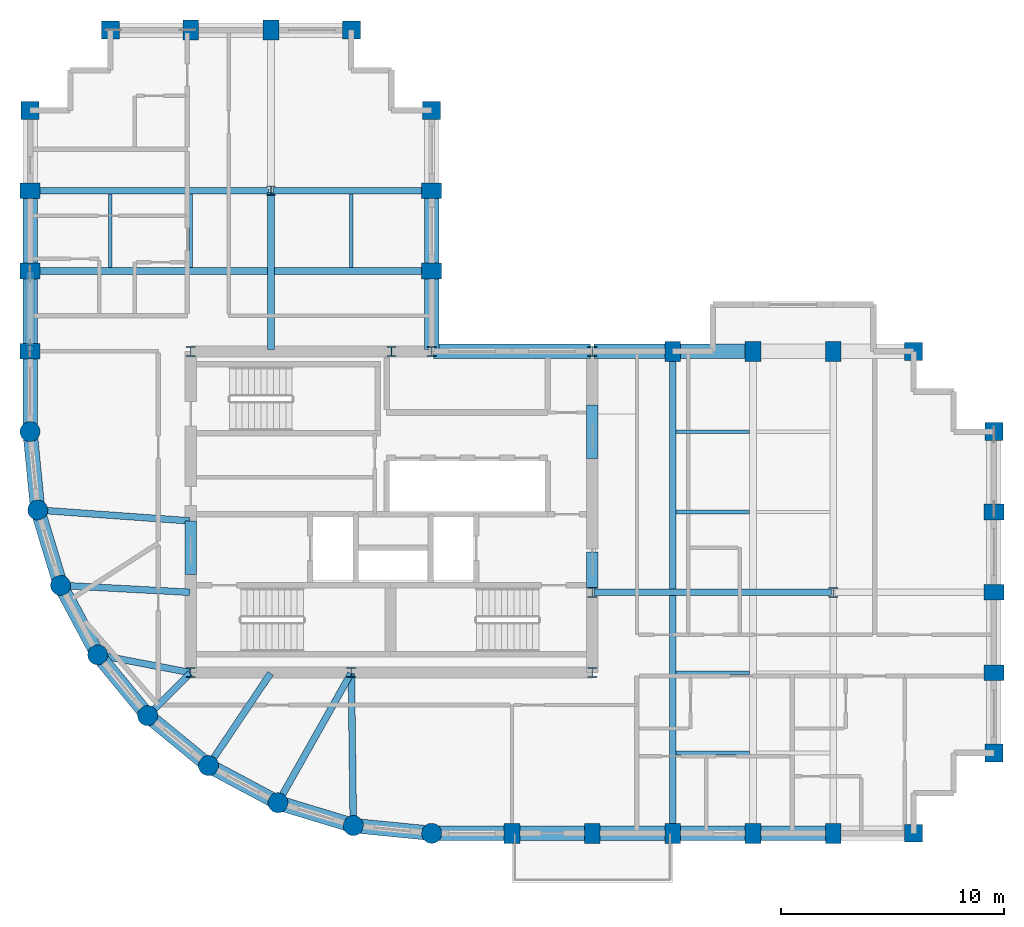
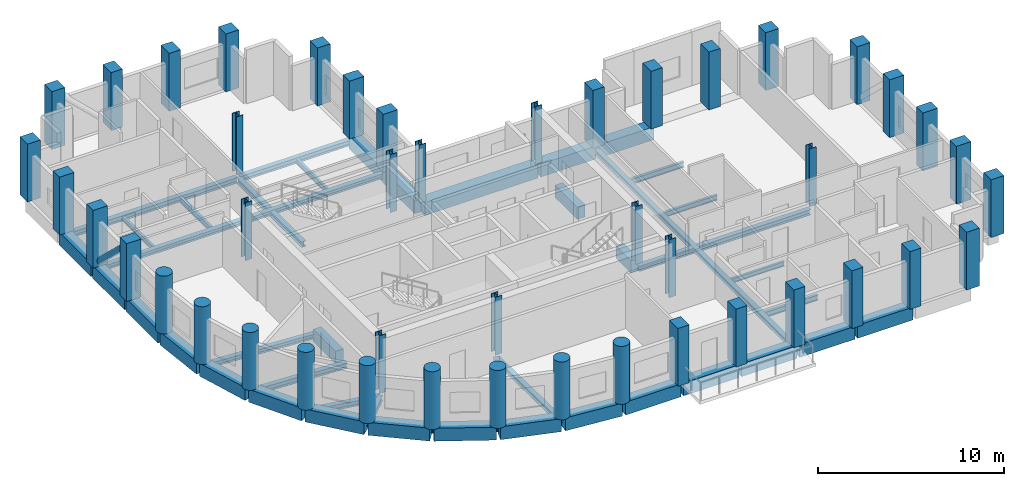
# One storey, part 1 of 8: 45 columns, 44 beams, 1 member.
"""IFC4 building model written with IfcOpenShell, lengths in metres."""

import ifcopenshell
import ifcopenshell.guid

model = None  # the IFC model being written
_history = None  # IfcOwnerHistory: only IFC2X3 demands one
_inside = {}  # id of a spatial element -> (the spatial element, [elements in it])
_under = {}  # id of a project, library or spatial element -> (it, [spatial elements below it])
_declared = {}  # id of a project -> (the project, [libraries it declares])
_typed = {}  # id of a type object -> (the type object, [elements of that type])
_made_of = {}  # id of a material, layer set ... -> (it, [elements and type objects made of it])


def new_model(schema):
    """Start an empty IFC model of exactly this schema.

    Asked for "IFC4X3", IfcOpenShell would pick the latest addendum, in which some entities
    have other attributes; the version numbers below select the first issue.
    IFC2X3 requires an IfcOwnerHistory on every rooted entity: one is made here for all.
    """
    global model, _history
    if schema == "IFC4X3":
        model = ifcopenshell.file(schema_version=(4, 3, 0, 0))
    else:
        model = ifcopenshell.file(schema=schema)
    _inside.clear()
    _under.clear()
    _declared.clear()
    _typed.clear()
    _made_of.clear()
    _history = None
    if model.schema == "IFC2X3":
        org = make("IfcOrganization", Name="unknown")
        user = make(
            "IfcPersonAndOrganization",
            ThePerson=make("IfcPerson", FamilyName="unknown"),
            TheOrganization=org,
        )
        app = make(
            "IfcApplication",
            ApplicationDeveloper=org,
            Version="unknown",
            ApplicationFullName="unknown",
            ApplicationIdentifier="unknown",
        )
        _history = make(
            "IfcOwnerHistory",
            OwningUser=user,
            OwningApplication=app,
            ChangeAction="ADDED",
            CreationDate=0,
        )
    return model


def make(cls, **values):
    """One entity of the class cls with the attributes given. An attribute that is None is left unset."""
    return model.create_entity(
        cls, **{name: value for name, value in values.items() if value is not None}
    )


def rooted(cls, **values):
    """An entity with a GlobalId (a new one), such as an element, a storey or a relation."""
    return make(cls, GlobalId=ifcopenshell.guid.new(), OwnerHistory=_history, **values)


def si_unit(unit_type, name, prefix=None):
    """IfcSIUnit, for example si_unit("LENGTHUNIT", "METRE", prefix="MILLI")."""
    return make("IfcSIUnit", UnitType=unit_type, Prefix=prefix, Name=name)


def assignment(units):
    """IfcUnitAssignment: the units of a project."""
    return None if units is None else make("IfcUnitAssignment", Units=units)


def point(xyz):
    """IfcCartesianPoint."""
    return None if xyz is None else make("IfcCartesianPoint", Coordinates=xyz)


def direction(xyz):
    """IfcDirection."""
    return None if xyz is None else make("IfcDirection", DirectionRatios=xyz)


def frame(location, z_axis=None, x_axis=None):
    """IfcAxis2Placement3D, a coordinate frame: its origin and axes. An axis left out is left unset."""
    return make(
        "IfcAxis2Placement3D",
        Location=point(location),
        Axis=direction(z_axis),
        RefDirection=direction(x_axis),
    )


def frame_2d(location, x_axis=None):
    """IfcAxis2Placement2D, a coordinate frame in the plane: its origin and x axis."""
    return make(
        "IfcAxis2Placement2D", Location=point(location), RefDirection=direction(x_axis)
    )


def origin():
    """The frame at (0, 0, 0) with its axes left unset."""
    return frame((0.0, 0.0, 0.0))


def origin_2d():
    """The frame at (0, 0) in the plane with its x axis left unset."""
    return frame_2d((0.0, 0.0))


def place(relative_to, where):
    """IfcLocalPlacement: puts the frame where relative to a parent placement (None: the world)."""
    return make(
        "IfcLocalPlacement", PlacementRelTo=relative_to, RelativePlacement=where
    )


def context(
    kind, dimensions, precision=None, world=None, true_north=None, identifier=None
):
    """IfcGeometricRepresentationContext, for example the 3D "Model" context."""
    return make(
        "IfcGeometricRepresentationContext",
        ContextIdentifier=identifier,
        ContextType=kind,
        CoordinateSpaceDimension=dimensions,
        Precision=precision,
        WorldCoordinateSystem=world,
        TrueNorth=true_north,
    )


def subcontext(parent, identifier, kind, view, scale=None):
    """IfcGeometricRepresentationSubContext, for example "Body" below "Model"."""
    return make(
        "IfcGeometricRepresentationSubContext",
        ContextIdentifier=identifier,
        ContextType=kind,
        ParentContext=parent,
        TargetScale=scale,
        TargetView=view,
    )


def project(units=None, contexts=None):
    """IfcProject with its units and contexts."""
    return rooted(
        "IfcProject",
        Name="project",
        RepresentationContexts=contexts,
        UnitsInContext=assignment(units),
    )


def spatial(cls, under=None, at=None, **own):
    """A site, building, storey or space (cls), placed at a placement, below another one or the project."""
    s = rooted(cls, ObjectPlacement=at, **own)
    if under is not None:
        _under.setdefault(under.id(), (under, []))[1].append(s)
    return s


def profile(cls, at=None, kind="AREA", **sizes):
    """A parametric profile (cls). Its sizes go by their IFC names, for example OverallWidth=200.0."""
    return make(cls, ProfileType=kind, Position=at, **sizes)


def rectangle(**sizes):
    """IfcRectangleProfileDef."""
    return profile("IfcRectangleProfileDef", **sizes)


def circle(**sizes):
    """IfcCircleProfileDef."""
    return profile("IfcCircleProfileDef", **sizes)


def hollow_circle(**sizes):
    """IfcCircleHollowProfileDef."""
    return profile("IfcCircleHollowProfileDef", **sizes)


def i_section(**sizes):
    """IfcIShapeProfileDef."""
    return profile("IfcIShapeProfileDef", **sizes)


def extrude(swept, where, along, depth):
    """IfcExtrudedAreaSolid: the profile swept, set in the frame where, extruded along a direction by depth."""
    return make(
        "IfcExtrudedAreaSolid",
        SweptArea=swept,
        Position=where,
        ExtrudedDirection=direction(along),
        Depth=depth,
    )


def shape(context_of_items, identifier, shape_type, items):
    """IfcShapeRepresentation: the items that make up one representation, for example the "Body"."""
    return make(
        "IfcShapeRepresentation",
        ContextOfItems=context_of_items,
        RepresentationIdentifier=identifier,
        RepresentationType=shape_type,
        Items=items,
    )


def material(Name=None, Category=None):
    """IfcMaterial."""
    return make("IfcMaterial", Name=Name, Category=Category)


def material_profile(
    of_material, cross_section, Name=None, Category=None, Priority=None
):
    """IfcMaterialProfile: a cross section and its material."""
    return make(
        "IfcMaterialProfile",
        Name=Name,
        Material=of_material,
        Profile=cross_section,
        Priority=Priority,
        Category=Category,
    )


def profile_set(profiles, Name=None, composite=None):
    """IfcMaterialProfileSet."""
    return make(
        "IfcMaterialProfileSet",
        Name=Name,
        MaterialProfiles=profiles,
        CompositeProfile=composite,
    )


def made_of(thing, what):
    """Note that an element or type object is made of a material, layer set ...; save() writes the relation."""
    if what is not None:
        _made_of.setdefault(what.id(), (what, []))[1].append(thing)
    return thing


def type_object(cls, material=None, **own):
    """A type object (cls), such as IfcWallType, which elements share."""
    return made_of(rooted(cls, **own), material)


def element(
    cls,
    number,
    at=None,
    inside=None,
    cuts=None,
    type_object=None,
    material=None,
    context=None,
    identifier="Body",
    shape_type=None,
    held_by="IfcProductDefinitionShape",
    body=None,
    shapes=None,
    **own,
):
    """One element of the class cls, such as IfcWall. Its Tag is "e" and its number.

    at: its placement. inside: the storey or other place that contains it. cuts: it is an
    opening in that element (IfcRelVoidsElement). A single representation is given by context,
    identifier, shape_type and body (its items); several are given by shapes. held_by: the class
    of the entity that holds the representations. save() writes the other relations.
    """
    e = rooted(cls, Tag="e%d" % number, ObjectPlacement=at, **own)
    if body is not None:
        shapes = [shape(context, identifier, shape_type, body)]
    if shapes is not None:
        e.Representation = make(held_by, Representations=shapes)
    if inside is not None:
        _inside.setdefault(inside.id(), (inside, []))[1].append(e)
    if cuts is not None:
        rooted(
            "IfcRelVoidsElement", RelatingBuildingElement=cuts, RelatedOpeningElement=e
        )
    if type_object is not None:
        _typed.setdefault(type_object.id(), (type_object, []))[1].append(e)
    return made_of(e, material)


def aggregate(whole, parts):
    """IfcRelAggregates: a whole, such as a stair, and the parts it consists of."""
    return rooted("IfcRelAggregates", RelatingObject=whole, RelatedObjects=parts)


def save(model, path):
    """Write the relations noted so far, then the file.

    IfcRelAggregates (storeys below a building ...), IfcRelContainedInSpatialStructure (elements
    in a storey), IfcRelDefinesByType, IfcRelAssociatesMaterial and IfcRelDeclares: one each for
    every whole, place, type object, material and project.
    """
    for whole, parts in _under.values():
        aggregate(whole, parts)
    for where, things in _inside.values():
        rooted(
            "IfcRelContainedInSpatialStructure",
            RelatedElements=things,
            RelatingStructure=where,
        )
    for kind, things in _typed.values():
        rooted("IfcRelDefinesByType", RelatedObjects=things, RelatingType=kind)
    for what, things in _made_of.values():
        rooted("IfcRelAssociatesMaterial", RelatedObjects=things, RelatingMaterial=what)
    for by, libraries in _declared.values():
        rooted("IfcRelDeclares", RelatingContext=by, RelatedDefinitions=libraries)
    model.write(path)


model = new_model("IFC4")

# Units and contexts
model_context = context("Model", 3, precision=1e-05, world=origin(), true_north=direction((0.0, 1.0)))
body_context = subcontext(model_context, "Body", "Model", "MODEL_VIEW")
ifc_project = project(units=[si_unit("LENGTHUNIT", "METRE"), si_unit("AREAUNIT", "SQUARE_METRE"), si_unit("VOLUMEUNIT", "CUBIC_METRE"), si_unit("PLANEANGLEUNIT", "RADIAN"), si_unit("MASSUNIT", "GRAM", prefix="KILO")], contexts=[model_context])

# Site, building, storey
site_placement = place(None, origin())
site = spatial("IfcSite", under=ifc_project, at=site_placement, CompositionType="ELEMENT")
building_placement = place(site_placement, origin())
building = spatial("IfcBuilding", under=site, at=building_placement, Name="Solnavia Interchange Tower", CompositionType="ELEMENT")
storey_placement = place(building_placement, frame((0.0, 0.0, 178.60009765625)))
storey = spatial("IfcBuildingStorey", under=building, at=storey_placement, Name="L44", CompositionType="ELEMENT", Elevation=178.60009765625)

# Columns
ifc_material_1 = material(Name="Concrete C50/60", Category="concrete")
ifc_material_profile_1 = material_profile(ifc_material_1, rectangle(XDim=0.800048828125, YDim=0.800048828125, at=origin_2d()), Name="RC 800x800")
ifc_profile_set_1 = profile_set([ifc_material_profile_1], Name="Concrete C50/60")
column_type_1 = type_object("IfcColumnType", Name="Col-RC-800x800", PredefinedType="COLUMN", material=ifc_profile_set_1)
for number, where, z_axis, x_axis, name in (
    (1, (7.199951171875, 36.0, 0.0), (0.0, 0.0, 1.0), (0.0, 1.0, 0.0), "COL-L44-05 Tower corner column"),
    (2, (10.800048828125, 39.60009765625, 0.0), (0.0, 0.0, 1.0), (1.0, 0.0, 0.0), "COL-L44-09 Tower corner column"),
    (3, (21.60009765625, 39.60009765625, 0.0), (0.0, 0.0, 1.0), (1.0, 0.0, 0.0), "COL-L44-19 Tower corner column"),
    (4, (25.199951171875, 36.0, 0.0), (0.0, 0.0, 1.0), (0.0, 1.0, 0.0), "COL-L44-26 Tower corner column"),
    (5, (46.800048828125, 3.60009765625, 0.0), (0.0, 0.0, 1.0), (1.0, 0.0, 0.0), "COL-L44-39 Tower corner column"),
    (6, (46.800048828125, 25.199951171875, 0.0), (0.0, 0.0, 1.0), (1.0, 0.0, 0.0), "COL-L44-40 Tower corner column"),
    (7, (50.39990234375, 7.199951171875, 0.0), (0.0, 0.0, 1.0), (1.0, 0.0, 0.0), "COL-L44-41 Tower corner column"),
    (8, (50.39990234375, 21.60009765625, 0.0), (0.0, 0.0, 1.0), (0.0, 1.0, 0.0), "COL-L44-45 Tower corner column"),
):
    element("IfcColumn", number, at=place(storey_placement, frame(where, z_axis=z_axis, x_axis=x_axis)), inside=storey, type_object=column_type_1, Name=name, PredefinedType="COLUMN", context=body_context, shape_type="SweptSolid", body=[
        extrude(rectangle(XDim=0.800048828125, YDim=0.800048828125, at=origin_2d()), origin(), (0.0, 0.0, 1.0), 3.7998046875),
    ])
ifc_material_profile_2 = material_profile(ifc_material_1, rectangle(XDim=0.699951171875, YDim=0.89990234375, at=origin_2d()), Name="RC 900x700")
ifc_profile_set_2 = profile_set([ifc_material_profile_2], Name="Concrete C50/60")
column_type_2 = type_object("IfcColumnType", Name="Col-RC-900x700", PredefinedType="COLUMN", material=ifc_profile_set_2)
for number, where, z_axis, x_axis, name in (
    (9, (7.199951171875, 25.199951171875, 0.0), (0.0, 0.0, 1.0), (0.0, 1.0, 0.0), "COL-L44-02 Tower perim y column"),
    (10, (7.199951171875, 28.800048828125, 0.0), (0.0, 0.0, 1.0), (0.0, 1.0, 0.0), "COL-L44-03 Tower perim y column"),
    (11, (7.199951171875, 32.39990234375, 0.0), (0.0, 0.0, 1.0), (0.0, 1.0, 0.0), "COL-L44-04 Tower perim y column"),
    (12, (14.39990234375, 39.60009765625, 0.0), (0.0, 0.0, 1.0), (1.0, 0.0, 0.0), "COL-L44-13 Tower perim x column"),
    (13, (18.0, 39.60009765625, 0.0), (0.0, 0.0, 1.0), (1.0, 0.0, 0.0), "COL-L44-16 Tower perim x column"),
    (14, (25.199951171875, 28.800048828125, 0.0), (0.0, 0.0, 1.0), (0.0, 1.0, 0.0), "COL-L44-24 Tower perim y column"),
    (15, (25.199951171875, 32.39990234375, 0.0), (0.0, 0.0, 1.0), (0.0, 1.0, 0.0), "COL-L44-25 Tower perim y column"),
    (16, (28.800048828125, 3.60009765625, 0.0), (0.0, 0.0, 1.0), (1.0, 0.0, 0.0), "COL-L44-27 Tower perim x column"),
    (17, (32.39990234375, 3.60009765625, 0.0), (0.0, 0.0, 1.0), (1.0, 0.0, 0.0), "COL-L44-28 Tower perim x column"),
    (18, (36.0, 3.60009765625, 0.0), (0.0, 0.0, 1.0), (1.0, 0.0, 0.0), "COL-L44-32 Tower perim x column"),
    (19, (36.0, 25.199951171875, 0.0), (0.0, 0.0, 1.0), (1.0, 0.0, 0.0), "COL-L44-33 Tower perim x column"),
    (20, (39.60009765625, 3.60009765625, 0.0), (0.0, 0.0, 1.0), (1.0, 0.0, 0.0), "COL-L44-34 Tower perim x column"),
    (21, (39.60009765625, 25.199951171875, 0.0), (0.0, 0.0, 1.0), (1.0, 0.0, 0.0), "COL-L44-35 Tower perim x column"),
    (22, (43.199951171875, 3.60009765625, 0.0), (0.0, 0.0, 1.0), (1.0, 0.0, 0.0), "COL-L44-36 Tower perim x column"),
    (23, (43.199951171875, 25.199951171875, 0.0), (0.0, 0.0, 1.0), (1.0, 0.0, 0.0), "COL-L44-38 Tower perim x column"),
    (24, (50.39990234375, 10.800048828125, 0.0), (0.0, 0.0, 1.0), (0.0, 1.0, 0.0), "COL-L44-42 Tower perim y column"),
    (25, (50.39990234375, 14.39990234375, 0.0), (0.0, 0.0, 1.0), (0.0, 1.0, 0.0), "COL-L44-43 Tower perim y column"),
    (26, (50.39990234375, 18.0, 0.0), (0.0, 0.0, 1.0), (0.0, 1.0, 0.0), "COL-L44-44 Tower perim y column"),
):
    element("IfcColumn", number, at=place(storey_placement, frame(where, z_axis=z_axis, x_axis=x_axis)), inside=storey, type_object=column_type_2, Name=name, PredefinedType="COLUMN", context=body_context, shape_type="SweptSolid", body=[
        extrude(rectangle(XDim=0.699951171875, YDim=0.89990234375, at=origin_2d()), origin(), (0.0, 0.0, 1.0), 3.7998046875),
    ])
ifc_material_profile_3 = material_profile(ifc_material_1, circle(Radius=0.449951171875, at=origin_2d()), Name="RC D900")
ifc_profile_set_3 = profile_set([ifc_material_profile_3], Name="Concrete C50/60")
column_type_3 = type_object("IfcColumnType", Name="Col-RC-D900", PredefinedType="COLUMN", material=ifc_profile_set_3)
for number, where, z_axis, x_axis, name in (
    (27, (7.199951171875, 21.60009765625, 0.0), (0.0, 0.0, 1.0), (1.0, 0.0, 0.0), "COL-L44-01 Tower drum column"),
    (28, (7.5458984375, 18.087890625, 0.0), (0.0, 0.0, 1.0), (1.0, 0.0, 0.0), "COL-L44-06 Tower drum column"),
    (29, (8.570068359375, 14.7119140625, 0.0), (0.0, 0.0, 1.0), (1.0, 0.0, 0.0), "COL-L44-07 Tower drum column"),
    (30, (10.23388671875, 11.60009765625, 0.0), (0.0, 0.0, 1.0), (1.0, 0.0, 0.0), "COL-L44-08 Tower drum column"),
    (31, (12.471923828125, 8.8720703125, 0.0), (0.0, 0.0, 1.0), (1.0, 0.0, 0.0), "COL-L44-10 Tower drum column"),
    (32, (15.199951171875, 6.634033203125, 0.0), (0.0, 0.0, 1.0), (1.0, 0.0, 0.0), "COL-L44-14 Tower drum column"),
    (33, (18.31201171875, 4.969970703125, 0.0), (0.0, 0.0, 1.0), (1.0, 0.0, 0.0), "COL-L44-17 Tower drum column"),
    (34, (21.68798828125, 3.946044921875, 0.0), (0.0, 0.0, 1.0), (1.0, 0.0, 0.0), "COL-L44-20 Tower drum column"),
    (35, (25.199951171875, 3.60009765625, 0.0), (0.0, 0.0, 1.0), (1.0, 0.0, 0.0), "COL-L44-22 Tower drum column"),
):
    element("IfcColumn", number, at=place(storey_placement, frame(where, z_axis=z_axis, x_axis=x_axis)), inside=storey, type_object=column_type_3, Name=name, PredefinedType="COLUMN", context=body_context, shape_type="SweptSolid", body=[
        extrude(circle(Radius=0.449951171875, at=origin_2d()), origin(), (0.0, 0.0, 1.0), 3.7998046875),
    ])
ifc_material_2 = material(Name="Steel S355", Category="steel")
ifc_material_profile_4 = material_profile(ifc_material_2, i_section(OverallWidth=0.416015625, OverallDepth=0.44189453125, WebThickness=0.02490234375, FlangeThickness=0.041015625, FilletRadius=0.014892578125, at=origin_2d()), Name="HD 400x382")
ifc_profile_set_4 = profile_set([ifc_material_profile_4], Name="Steel S355")
column_type_4 = type_object("IfcColumnType", Name="Col-Steel-HD400x382", PredefinedType="COLUMN", material=ifc_profile_set_4)
for number, where, z_axis, x_axis, name in (
    (36, (14.39990234375, 10.800048828125, 0.0), (0.0, 0.0, 1.0), (1.0, 0.0, 0.0), "COL-L44-11 Tower interior column"),
    (37, (14.39990234375, 25.199951171875, 0.0), (0.0, 0.0, 1.0), (1.0, 0.0, 0.0), "COL-L44-12 Tower interior column"),
    (38, (18.0, 32.39990234375, 0.0), (0.0, 0.0, 1.0), (1.0, 0.0, 0.0), "COL-L44-15 Tower interior column"),
    (39, (21.60009765625, 10.800048828125, 0.0), (0.0, 0.0, 1.0), (1.0, 0.0, 0.0), "COL-L44-18 Tower interior column"),
    (40, (23.39990234375, 25.199951171875, 0.0), (0.0, 0.0, 1.0), (1.0, 0.0, 0.0), "COL-L44-21 Tower interior column"),
    (41, (25.199951171875, 25.199951171875, 0.0), (0.0, 0.0, 1.0), (1.0, 0.0, 0.0), "COL-L44-23 Tower interior column"),
    (42, (32.39990234375, 10.800048828125, 0.0), (0.0, 0.0, 1.0), (1.0, 0.0, 0.0), "COL-L44-29 Tower interior column"),
    (43, (32.39990234375, 14.39990234375, 0.0), (0.0, 0.0, 1.0), (1.0, 0.0, 0.0), "COL-L44-30 Tower interior column"),
    (44, (32.39990234375, 25.199951171875, 0.0), (0.0, 0.0, 1.0), (1.0, 0.0, 0.0), "COL-L44-31 Tower interior column"),
    (45, (43.199951171875, 14.39990234375, 0.0), (0.0, 0.0, 1.0), (1.0, 0.0, 0.0), "COL-L44-37 Tower interior column"),
):
    element("IfcColumn", number, at=place(storey_placement, frame(where, z_axis=z_axis, x_axis=x_axis)), inside=storey, type_object=column_type_4, Name=name, PredefinedType="COLUMN", context=body_context, shape_type="SweptSolid", body=[
        extrude(i_section(OverallWidth=0.416015625, OverallDepth=0.44189453125, WebThickness=0.02490234375, FlangeThickness=0.041015625, FilletRadius=0.014892578125, at=origin_2d()), origin(), (0.0, 0.0, 1.0), 3.7998046875),
    ])

# Beams
ifc_material_profile_5 = material_profile(ifc_material_1, rectangle(XDim=0.5, YDim=0.800048828125, at=origin_2d()), Name="RC 500x800")
ifc_profile_set_5 = profile_set([ifc_material_profile_5], Name="Concrete C50/60")
beam_type_1 = type_object("IfcBeamType", Name="Beam-Coupling-RC500x800", PredefinedType="LINTEL", material=ifc_profile_set_5)
beam_1_placement = place(storey_placement, frame((14.39990234375, 15.199951171875, -0.400146484375), z_axis=(0.0, 1.0, 0.0), x_axis=(-1.0, 0.0, 0.0)))
element("IfcBeam", 46, at=beam_1_placement, inside=storey, type_object=beam_type_1, Name="CPB-L44-W1 Core coupling lintel beam", PredefinedType="LINTEL", context=body_context, shape_type="SweptSolid", body=[
    extrude(rectangle(XDim=0.5, YDim=0.800048828125, at=origin_2d()), origin(), (0.0, 0.0, 1.0), 2.400146484375),
])
beam_2_placement = place(storey_placement, frame((32.39990234375, 14.60009765625, -0.400146484375), z_axis=(0.0, 1.0, 0.0), x_axis=(-1.0, 0.0, 0.0)))
element("IfcBeam", 47, at=beam_2_placement, inside=storey, type_object=beam_type_1, Name="CPB-L44-E1 Core coupling lintel beam", PredefinedType="LINTEL", context=body_context, shape_type="SweptSolid", body=[
    extrude(rectangle(XDim=0.5, YDim=0.800048828125, at=origin_2d()), origin(), (0.0, 0.0, 1.0), 1.599853515625),
])
beam_3_placement = place(storey_placement, frame((32.39990234375, 20.39990234375, -0.400146484375), z_axis=(0.0, 1.0, 0.0), x_axis=(-1.0, 0.0, 0.0)))
element("IfcBeam", 48, at=beam_3_placement, inside=storey, type_object=beam_type_1, Name="CPB-L44-E2 Core coupling lintel beam", PredefinedType="LINTEL", context=body_context, shape_type="SweptSolid", body=[
    extrude(rectangle(XDim=0.5, YDim=0.800048828125, at=origin_2d()), origin(), (0.0, 0.0, 1.0), 2.400146484375),
])
ifc_material_3 = material(Name="Steel S460", Category="steel")
ifc_material_profile_6 = material_profile(ifc_material_3, i_section(OverallWidth=0.300048828125, OverallDepth=0.360107421875, WebThickness=0.012451171875, FlangeThickness=0.0224609375, FilletRadius=0.027099609375, at=origin_2d()), Name="HEB 360")
ifc_profile_set_6 = profile_set([ifc_material_profile_6], Name="Steel S460")
beam_type_2 = type_object("IfcBeamType", Name="Beam-Girder-HEB360", PredefinedType="BEAM", material=ifc_profile_set_6)
beam_4_placement = place(storey_placement, frame((32.47998046875, 14.39990234375, -0.43017578125), z_axis=(1.0, 0.0, 0.0), x_axis=(0.0, 1.0, 0.0)))
element("IfcBeam", 49, at=beam_4_placement, inside=storey, type_object=beam_type_2, Name="GRD-L44-ES01 East wing spine girder", PredefinedType="BEAM", context=body_context, shape_type="SweptSolid", body=[
    extrude(i_section(OverallWidth=0.300048828125, OverallDepth=0.360107421875, WebThickness=0.012451171875, FlangeThickness=0.0224609375, FilletRadius=0.027099609375, at=origin_2d()), origin(), (0.0, 0.0, 1.0), 10.64013671875),
])
beam_5_placement = place(storey_placement, frame((18.0, 25.280029296875, -0.43017578125), z_axis=(0.0, 1.0, 0.0), x_axis=(-1.0, 0.0, 0.0)))
element("IfcBeam", 50, at=beam_5_placement, inside=storey, type_object=beam_type_2, Name="GRD-L44-NS07 North wing spine girder", PredefinedType="BEAM", context=body_context, shape_type="SweptSolid", body=[
    extrude(i_section(OverallWidth=0.300048828125, OverallDepth=0.360107421875, WebThickness=0.012451171875, FlangeThickness=0.0224609375, FilletRadius=0.027099609375, at=origin_2d()), origin(), (0.0, 0.0, 1.0), 7.0400390625),
])
beam_6_placement = place(storey_placement, frame((7.280029296875, 32.39990234375, -0.43017578125), z_axis=(1.0, 0.0, 0.0), x_axis=(0.0, 1.0, 0.0)))
element("IfcBeam", 51, at=beam_6_placement, inside=storey, type_object=beam_type_2, Name="GRD-L44-NW10 North wing primary floor girder", PredefinedType="BEAM", context=body_context, shape_type="SweptSolid", body=[
    extrude(i_section(OverallWidth=0.300048828125, OverallDepth=0.360107421875, WebThickness=0.012451171875, FlangeThickness=0.0224609375, FilletRadius=0.027099609375, at=origin_2d()), origin(), (0.0, 0.0, 1.0), 10.639892578125),
])
beam_7_placement = place(storey_placement, frame((18.080078125, 32.39990234375, -0.43017578125), z_axis=(1.0, 0.0, 0.0), x_axis=(0.0, 1.0, 0.0)))
element("IfcBeam", 52, at=beam_7_placement, inside=storey, type_object=beam_type_2, Name="GRD-L44-NW11 North wing primary floor girder", PredefinedType="BEAM", context=body_context, shape_type="SweptSolid", body=[
    extrude(i_section(OverallWidth=0.300048828125, OverallDepth=0.360107421875, WebThickness=0.012451171875, FlangeThickness=0.0224609375, FilletRadius=0.027099609375, at=origin_2d()), origin(), (0.0, 0.0, 1.0), 7.0400390625),
])
beam_8_placement = place(storey_placement, frame((8.64990234375, 14.707763671875, -0.43017578125), z_axis=(0.998570371303, -0.053452909696, 0.0), x_axis=(0.053452909696, 0.998570371303, 0.0)))
element("IfcBeam", 53, at=beam_8_placement, inside=storey, type_object=beam_type_2, Name="GRD-L44-DR13 Drum radial floor girder", PredefinedType="BEAM", context=body_context, shape_type="SweptSolid", body=[
    extrude(i_section(OverallWidth=0.300048828125, OverallDepth=0.360107421875, WebThickness=0.012451171875, FlangeThickness=0.0224609375, FilletRadius=0.027099609375, at=origin_2d()), origin(), (0.0, 0.0, 1.0), 5.71826171875),
])
beam_9_placement = place(storey_placement, frame((15.24462890625, 6.700439453125, -0.43017578125), z_axis=(0.557835474219, 0.829951555033, 0.0), x_axis=(-0.829951555033, 0.557835474219, 0.0)))
element("IfcBeam", 54, at=beam_9_placement, inside=storey, type_object=beam_type_2, Name="GRD-L44-DR16 Drum radial floor girder", PredefinedType="BEAM", context=body_context, shape_type="SweptSolid", body=[
    extrude(i_section(OverallWidth=0.300048828125, OverallDepth=0.360107421875, WebThickness=0.012451171875, FlangeThickness=0.0224609375, FilletRadius=0.027099609375, at=origin_2d()), origin(), (0.0, 0.0, 1.0), 4.899658203125),
])
ifc_material_profile_7 = material_profile(ifc_material_2, i_section(OverallWidth=0.14990234375, OverallDepth=0.300048828125, WebThickness=0.007080078125, FlangeThickness=0.0107421875, FilletRadius=0.014892578125, at=origin_2d()), Name="IPE 300")
ifc_profile_set_7 = profile_set([ifc_material_profile_7], Name="Steel S355")
beam_type_3 = type_object("IfcBeamType", Name="Beam-Joist-IPE300", PredefinedType="JOIST", material=ifc_profile_set_7)
for number, where, z_axis, x_axis, name in (
    (55, (36.14990234375, 10.800048828125, -0.400146484375), (1.0, 0.0, 0.0), (0.0, 1.0, 0.0), "JST-L44-E03 East wing secondary joist"),
    (56, (10.800048828125, 28.949951171875, -0.400146484375), (0.0, 1.0, 0.0), (-1.0, 0.0, 0.0), "JST-L44-N09 North wing secondary joist"),
):
    element("IfcBeam", number, at=place(storey_placement, frame(where, z_axis=z_axis, x_axis=x_axis)), inside=storey, type_object=beam_type_3, Name=name, PredefinedType="JOIST", context=body_context, shape_type="SweptSolid", body=[
        extrude(i_section(OverallWidth=0.14990234375, OverallDepth=0.300048828125, WebThickness=0.007080078125, FlangeThickness=0.0107421875, FilletRadius=0.014892578125, at=origin_2d()), origin(), (0.0, 0.0, 1.0), 3.300048828125),
    ])
ifc_material_profile_8 = material_profile(ifc_material_2, i_section(OverallWidth=0.159912109375, OverallDepth=0.330078125, WebThickness=0.007568359375, FlangeThickness=0.011474609375, FilletRadius=0.01806640625, at=origin_2d()), Name="IPE 330")
ifc_profile_set_8 = profile_set([ifc_material_profile_8], Name="Steel S355")
beam_type_4 = type_object("IfcBeamType", Name="Beam-Joist-IPE330", PredefinedType="JOIST", material=ifc_profile_set_8)
for number, where, z_axis, x_axis, name in (
    (57, (36.14990234375, 18.0, -0.4150390625), (1.0, 0.0, 0.0), (0.0, 1.0, 0.0), "JST-L44-E05 East wing secondary joist"),
    (58, (21.60009765625, 28.949951171875, -0.4150390625), (0.0, 1.0, 0.0), (-1.0, 0.0, 0.0), "JST-L44-N11 North wing secondary joist"),
):
    element("IfcBeam", number, at=place(storey_placement, frame(where, z_axis=z_axis, x_axis=x_axis)), inside=storey, type_object=beam_type_4, Name=name, PredefinedType="JOIST", context=body_context, shape_type="SweptSolid", body=[
        extrude(i_section(OverallWidth=0.159912109375, OverallDepth=0.330078125, WebThickness=0.007568359375, FlangeThickness=0.011474609375, FilletRadius=0.01806640625, at=origin_2d()), origin(), (0.0, 0.0, 1.0), 3.300048828125),
    ])
ifc_material_profile_9 = material_profile(ifc_material_2, i_section(OverallWidth=0.169921875, OverallDepth=0.360107421875, WebThickness=0.008056640625, FlangeThickness=0.0126953125, FilletRadius=0.01806640625, at=origin_2d()), Name="IPE 360")
ifc_profile_set_9 = profile_set([ifc_material_profile_9], Name="Steel S355")
beam_type_5 = type_object("IfcBeamType", Name="Beam-Joist-IPE360", PredefinedType="JOIST", material=ifc_profile_set_9)
for number, where, z_axis, x_axis, name in (
    (59, (36.14990234375, 7.199951171875, -0.43017578125), (1.0, 0.0, 0.0), (0.0, 1.0, 0.0), "JST-L44-E01 East wing secondary joist"),
    (60, (36.14990234375, 21.60009765625, -0.43017578125), (1.0, 0.0, 0.0), (0.0, 1.0, 0.0), "JST-L44-E07 East wing secondary joist"),
    (61, (14.39990234375, 28.949951171875, -0.43017578125), (0.0, 1.0, 0.0), (-1.0, 0.0, 0.0), "JST-L44-N10 North wing secondary joist"),
):
    element("IfcBeam", number, at=place(storey_placement, frame(where, z_axis=z_axis, x_axis=x_axis)), inside=storey, type_object=beam_type_5, Name=name, PredefinedType="JOIST", context=body_context, shape_type="SweptSolid", body=[
        extrude(i_section(OverallWidth=0.169921875, OverallDepth=0.360107421875, WebThickness=0.008056640625, FlangeThickness=0.0126953125, FilletRadius=0.01806640625, at=origin_2d()), origin(), (0.0, 0.0, 1.0), 3.300048828125),
    ])
ifc_material_profile_10 = material_profile(ifc_material_2, i_section(OverallWidth=0.300048828125, OverallDepth=0.31005859375, WebThickness=0.009033203125, FlangeThickness=0.015380859375, FilletRadius=0.027099609375, at=origin_2d()), Name="HEA 320")
ifc_profile_set_10 = profile_set([ifc_material_profile_10], Name="Steel S355")
beam_type_6 = type_object("IfcBeamType", Name="Beam-Primary-HEA320", PredefinedType="BEAM", material=ifc_profile_set_10)
beam_10_placement = place(storey_placement, frame((36.0, 3.679931640625, -0.405029296875), z_axis=(0.0, 1.0, 0.0), x_axis=(-1.0, 0.0, 0.0)))
element("IfcBeam", 62, at=beam_10_placement, inside=storey, type_object=beam_type_6, Name="GRD-L44-EW03 East wing primary floor girder", PredefinedType="BEAM", context=body_context, shape_type="SweptSolid", body=[
    extrude(i_section(OverallWidth=0.300048828125, OverallDepth=0.31005859375, WebThickness=0.009033203125, FlangeThickness=0.015380859375, FilletRadius=0.027099609375, at=origin_2d()), origin(), (0.0, 0.0, 1.0), 21.440185546875),
])
beam_11_placement = place(storey_placement, frame((7.280029296875, 28.800048828125, -0.405029296875), z_axis=(1.0, 0.0, 0.0), x_axis=(0.0, 1.0, 0.0)))
element("IfcBeam", 63, at=beam_11_placement, inside=storey, type_object=beam_type_6, Name="GRD-L44-NW09 North wing primary floor girder", PredefinedType="BEAM", context=body_context, shape_type="SweptSolid", body=[
    extrude(i_section(OverallWidth=0.300048828125, OverallDepth=0.31005859375, WebThickness=0.009033203125, FlangeThickness=0.015380859375, FilletRadius=0.027099609375, at=origin_2d()), origin(), (0.0, 0.0, 1.0), 17.840087890625),
])
beam_12_placement = place(storey_placement, frame((7.625732421875, 18.082275390625, -0.405029296875), z_axis=(0.99747482749, -0.071020902015, 0.0), x_axis=(0.071020902015, 0.99747482749, 0.0)))
element("IfcBeam", 64, at=beam_12_placement, inside=storey, type_object=beam_type_6, Name="GRD-L44-DR12 Drum radial floor girder", PredefinedType="BEAM", context=body_context, shape_type="SweptSolid", body=[
    extrude(i_section(OverallWidth=0.300048828125, OverallDepth=0.31005859375, WebThickness=0.009033203125, FlangeThickness=0.015380859375, FilletRadius=0.027099609375, at=origin_2d()), origin(), (0.0, 0.0, 1.0), 6.75146484375),
])
beam_13_placement = place(storey_placement, frame((12.528564453125, 8.9287109375, -0.405029296875), z_axis=(0.707106781187, 0.707106781187, 0.0), x_axis=(-0.707106781187, 0.707106781187, 0.0)))
element("IfcBeam", 65, at=beam_13_placement, inside=storey, type_object=beam_type_6, Name="GRD-L44-DR15 Drum radial floor girder", PredefinedType="BEAM", context=body_context, shape_type="SweptSolid", body=[
    extrude(i_section(OverallWidth=0.300048828125, OverallDepth=0.31005859375, WebThickness=0.009033203125, FlangeThickness=0.015380859375, FilletRadius=0.027099609375, at=origin_2d()), origin(), (0.0, 0.0, 1.0), 2.6064453125),
])
beam_14_placement = place(storey_placement, frame((21.68701171875, 4.02587890625, -0.405029296875), z_axis=(-0.01283293513, 0.999917654498, 0.0), x_axis=(-0.999917654498, -0.01283293513, 0.0)))
element("IfcBeam", 66, at=beam_14_placement, inside=storey, type_object=beam_type_6, Name="GRD-L44-DR18 Drum radial floor girder", PredefinedType="BEAM", context=body_context, shape_type="SweptSolid", body=[
    extrude(i_section(OverallWidth=0.300048828125, OverallDepth=0.31005859375, WebThickness=0.009033203125, FlangeThickness=0.015380859375, FilletRadius=0.027099609375, at=origin_2d()), origin(), (0.0, 0.0, 1.0), 6.734619140625),
])
ifc_material_profile_11 = material_profile(ifc_material_2, i_section(OverallWidth=0.300048828125, OverallDepth=0.35009765625, WebThickness=0.010009765625, FlangeThickness=0.017578125, FilletRadius=0.027099609375, at=origin_2d()), Name="HEA 360")
ifc_profile_set_11 = profile_set([ifc_material_profile_11], Name="Steel S355")
beam_type_7 = type_object("IfcBeamType", Name="Beam-Primary-HEA360", PredefinedType="BEAM", material=ifc_profile_set_11)
beam_15_placement = place(storey_placement, frame((10.3125, 11.5849609375, -0.425048828125), z_axis=(0.982057527796, -0.188581579428, 0.0), x_axis=(0.188581579428, 0.982057527796, 0.0)))
element("IfcBeam", 67, at=beam_15_placement, inside=storey, type_object=beam_type_7, Name="GRD-L44-DR14 Drum radial floor girder", PredefinedType="BEAM", context=body_context, shape_type="SweptSolid", body=[
    extrude(i_section(OverallWidth=0.300048828125, OverallDepth=0.35009765625, WebThickness=0.010009765625, FlangeThickness=0.017578125, FilletRadius=0.027099609375, at=origin_2d()), origin(), (0.0, 0.0, 1.0), 4.1220703125),
])
beam_16_placement = place(storey_placement, frame((18.351318359375, 5.039794921875, -0.425048828125), z_axis=(0.491243158486, 0.871022479182, 0.0), x_axis=(-0.871022479182, 0.491243158486, 0.0)))
element("IfcBeam", 68, at=beam_16_placement, inside=storey, type_object=beam_type_7, Name="GRD-L44-DR17 Drum radial floor girder", PredefinedType="BEAM", context=body_context, shape_type="SweptSolid", body=[
    extrude(i_section(OverallWidth=0.300048828125, OverallDepth=0.35009765625, WebThickness=0.010009765625, FlangeThickness=0.017578125, FilletRadius=0.027099609375, at=origin_2d()), origin(), (0.0, 0.0, 1.0), 6.5732421875),
])
ifc_material_profile_12 = material_profile(ifc_material_1, rectangle(XDim=0.64990234375, YDim=0.85009765625, at=origin_2d()), Name="RC 650x850")
ifc_profile_set_12 = profile_set([ifc_material_profile_12], Name="Concrete C50/60")
beam_type_8 = type_object("IfcBeamType", Name="Beam-Spandrel-RC650x850", PredefinedType="SPANDREL", material=ifc_profile_set_12)
beam_17_placement = place(storey_placement, frame((7.207763671875, 21.5205078125, -0.425048828125), z_axis=(0.098040038117, -0.995182471171, 0.0), x_axis=(0.995182471171, 0.098040038117, 0.0)))
element("IfcBeam", 69, at=beam_17_placement, inside=storey, type_object=beam_type_8, Name="SPB-L44-01 Framed-tube perimeter spandrel beam", PredefinedType="SPANDREL", context=body_context, shape_type="SweptSolid", body=[
    extrude(rectangle(XDim=0.64990234375, YDim=0.85009765625, at=origin_2d()), origin(), (0.0, 0.0, 1.0), 3.369140625),
])
beam_18_placement = place(storey_placement, frame((7.569091796875, 18.011474609375, -0.425048828125), z_axis=(0.290319223646, -0.956929855518, 0.0), x_axis=(0.956929855518, 0.290319223646, 0.0)))
element("IfcBeam", 70, at=beam_18_placement, inside=storey, type_object=beam_type_8, Name="SPB-L44-02 Framed-tube perimeter spandrel beam", PredefinedType="SPANDREL", context=body_context, shape_type="SweptSolid", body=[
    extrude(rectangle(XDim=0.64990234375, YDim=0.85009765625, at=origin_2d()), origin(), (0.0, 0.0, 1.0), 3.367919921875),
])
beam_19_placement = place(storey_placement, frame((8.607666015625, 14.6416015625, -0.425048828125), z_axis=(0.471509422952, -0.881861023102, 0.0), x_axis=(0.881861023102, 0.471509422952, 0.0)))
element("IfcBeam", 71, at=beam_19_placement, inside=storey, type_object=beam_type_8, Name="SPB-L44-03 Framed-tube perimeter spandrel beam", PredefinedType="SPANDREL", context=body_context, shape_type="SweptSolid", body=[
    extrude(rectangle(XDim=0.64990234375, YDim=0.85009765625, at=origin_2d()), origin(), (0.0, 0.0, 1.0), 3.369140625),
])
for number, where, z_axis, x_axis, name in (
    (72, (10.28466796875, 11.5380859375, -0.425048828125), (0.634298841675, -0.773087950656, 0.0), (0.773087950656, 0.634298841675, 0.0), "SPB-L44-04 Framed-tube perimeter spandrel beam"),
    (73, (12.53369140625, 8.8212890625, -0.425048828125), (0.773152644452, -0.634219984214, 0.0), (0.634219984214, 0.773152644452, 0.0), "SPB-L44-05 Framed-tube perimeter spandrel beam"),
):
    element("IfcBeam", number, at=place(storey_placement, frame(where, z_axis=z_axis, x_axis=x_axis)), inside=storey, type_object=beam_type_8, Name=name, PredefinedType="SPANDREL", context=body_context, shape_type="SweptSolid", body=[
        extrude(rectangle(XDim=0.64990234375, YDim=0.85009765625, at=origin_2d()), origin(), (0.0, 0.0, 1.0), 3.36865234375),
    ])
beam_20_placement = place(storey_placement, frame((15.2705078125, 6.59619140625, -0.425048828125), z_axis=(0.881875044348, -0.47148319817, 0.0), x_axis=(0.47148319817, 0.881875044348, 0.0)))
element("IfcBeam", 74, at=beam_20_placement, inside=storey, type_object=beam_type_8, Name="SPB-L44-06 Framed-tube perimeter spandrel beam", PredefinedType="SPANDREL", context=body_context, shape_type="SweptSolid", body=[
    extrude(rectangle(XDim=0.64990234375, YDim=0.85009765625, at=origin_2d()), origin(), (0.0, 0.0, 1.0), 3.368896484375),
])
beam_21_placement = place(storey_placement, frame((18.388671875, 4.94677734375, -0.425048828125), z_axis=(0.956943884494, -0.290272978297, 0.0), x_axis=(0.290272978297, 0.956943884494, 0.0)))
element("IfcBeam", 75, at=beam_21_placement, inside=storey, type_object=beam_type_8, Name="SPB-L44-07 Framed-tube perimeter spandrel beam", PredefinedType="SPANDREL", context=body_context, shape_type="SweptSolid", body=[
    extrude(rectangle(XDim=0.64990234375, YDim=0.85009765625, at=origin_2d()), origin(), (0.0, 0.0, 1.0), 3.36767578125),
])
beam_22_placement = place(storey_placement, frame((21.767578125, 3.938232421875, -0.425048828125), z_axis=(0.995181774609, -0.098047108501, 0.0), x_axis=(0.098047108501, 0.995181774609, 0.0)))
element("IfcBeam", 76, at=beam_22_placement, inside=storey, type_object=beam_type_8, Name="SPB-L44-08 Framed-tube perimeter spandrel beam", PredefinedType="SPANDREL", context=body_context, shape_type="SweptSolid", body=[
    extrude(rectangle(XDim=0.64990234375, YDim=0.85009765625, at=origin_2d()), origin(), (0.0, 0.0, 1.0), 3.368896484375),
])
beam_23_placement = place(storey_placement, frame((25.280029296875, 3.60009765625, -0.425048828125), z_axis=(1.0, 0.0, 0.0), x_axis=(0.0, 1.0, 0.0)))
element("IfcBeam", 77, at=beam_23_placement, inside=storey, type_object=beam_type_8, Name="SPB-L44-09 Framed-tube perimeter spandrel beam", PredefinedType="SPANDREL", context=body_context, shape_type="SweptSolid", body=[
    extrude(rectangle(XDim=0.64990234375, YDim=0.85009765625, at=origin_2d()), origin(), (0.0, 0.0, 1.0), 3.43994140625),
])
beam_24_placement = place(storey_placement, frame((28.8798828125, 3.60009765625, -0.425048828125), z_axis=(1.0, 0.0, 0.0), x_axis=(0.0, 1.0, 0.0)))
element("IfcBeam", 78, at=beam_24_placement, inside=storey, type_object=beam_type_8, Name="SPB-L44-10 Framed-tube perimeter spandrel beam", PredefinedType="SPANDREL", context=body_context, shape_type="SweptSolid", body=[
    extrude(rectangle(XDim=0.64990234375, YDim=0.85009765625, at=origin_2d()), origin(), (0.0, 0.0, 1.0), 3.440185546875),
])
for number, where, z_axis, x_axis, name in (
    (79, (32.47998046875, 3.60009765625, -0.425048828125), (1.0, 0.0, 0.0), (0.0, 1.0, 0.0), "SPB-L44-11 Framed-tube perimeter spandrel beam"),
    (80, (36.080078125, 3.60009765625, -0.425048828125), (1.0, 0.0, 0.0), (0.0, 1.0, 0.0), "SPB-L44-12 Framed-tube perimeter spandrel beam"),
):
    element("IfcBeam", number, at=place(storey_placement, frame(where, z_axis=z_axis, x_axis=x_axis)), inside=storey, type_object=beam_type_8, Name=name, PredefinedType="SPANDREL", context=body_context, shape_type="SweptSolid", body=[
        extrude(rectangle(XDim=0.64990234375, YDim=0.85009765625, at=origin_2d()), origin(), (0.0, 0.0, 1.0), 3.43994140625),
    ])
beam_25_placement = place(storey_placement, frame((39.679931640625, 3.60009765625, -0.425048828125), z_axis=(1.0, 0.0, 0.0), x_axis=(0.0, 1.0, 0.0)))
element("IfcBeam", 81, at=beam_25_placement, inside=storey, type_object=beam_type_8, Name="SPB-L44-13 Framed-tube perimeter spandrel beam", PredefinedType="SPANDREL", context=body_context, shape_type="SweptSolid", body=[
    extrude(rectangle(XDim=0.64990234375, YDim=0.85009765625, at=origin_2d()), origin(), (0.0, 0.0, 1.0), 3.440185546875),
])
for number, where, z_axis, x_axis, name in (
    (82, (39.52001953125, 25.199951171875, -0.425048828125), (-1.0, 0.0, 0.0), (0.0, -1.0, 0.0), "SPB-L44-21 Framed-tube perimeter spandrel beam"),
    (83, (35.919921875, 25.199951171875, -0.425048828125), (-1.0, 0.0, 0.0), (0.0, -1.0, 0.0), "SPB-L44-22 Framed-tube perimeter spandrel beam"),
):
    element("IfcBeam", number, at=place(storey_placement, frame(where, z_axis=z_axis, x_axis=x_axis)), inside=storey, type_object=beam_type_8, Name=name, PredefinedType="SPANDREL", context=body_context, shape_type="SweptSolid", body=[
        extrude(rectangle(XDim=0.64990234375, YDim=0.85009765625, at=origin_2d()), origin(), (0.0, 0.0, 1.0), 3.43994140625),
    ])
beam_26_placement = place(storey_placement, frame((32.320068359375, 25.199951171875, -0.425048828125), z_axis=(-1.0, 0.0, 0.0), x_axis=(0.0, -1.0, 0.0)))
element("IfcBeam", 84, at=beam_26_placement, inside=storey, type_object=beam_type_8, Name="SPB-L44-23 Framed-tube perimeter spandrel beam", PredefinedType="SPANDREL", context=body_context, shape_type="SweptSolid", body=[
    extrude(rectangle(XDim=0.64990234375, YDim=0.85009765625, at=origin_2d()), origin(), (0.0, 0.0, 1.0), 7.0400390625),
])
beam_27_placement = place(storey_placement, frame((25.199951171875, 25.280029296875, -0.425048828125), z_axis=(0.0, 1.0, 0.0), x_axis=(-1.0, 0.0, 0.0)))
element("IfcBeam", 85, at=beam_27_placement, inside=storey, type_object=beam_type_8, Name="SPB-L44-24 Framed-tube perimeter spandrel beam", PredefinedType="SPANDREL", context=body_context, shape_type="SweptSolid", body=[
    extrude(rectangle(XDim=0.64990234375, YDim=0.85009765625, at=origin_2d()), origin(), (0.0, 0.0, 1.0), 3.43994140625),
])
for number, where, z_axis, x_axis, name in (
    (86, (25.199951171875, 28.8798828125, -0.425048828125), (0.0, 1.0, 0.0), (-1.0, 0.0, 0.0), "SPB-L44-25 Framed-tube perimeter spandrel beam"),
    (87, (7.199951171875, 32.320068359375, -0.425048828125), (0.0, -1.0, 0.0), (1.0, 0.0, 0.0), "SPB-L44-31 Framed-tube perimeter spandrel beam"),
):
    element("IfcBeam", number, at=place(storey_placement, frame(where, z_axis=z_axis, x_axis=x_axis)), inside=storey, type_object=beam_type_8, Name=name, PredefinedType="SPANDREL", context=body_context, shape_type="SweptSolid", body=[
        extrude(rectangle(XDim=0.64990234375, YDim=0.85009765625, at=origin_2d()), origin(), (0.0, 0.0, 1.0), 3.440185546875),
    ])
beam_28_placement = place(storey_placement, frame((7.199951171875, 28.719970703125, -0.425048828125), z_axis=(0.0, -1.0, 0.0), x_axis=(1.0, 0.0, 0.0)))
element("IfcBeam", 88, at=beam_28_placement, inside=storey, type_object=beam_type_8, Name="SPB-L44-32 Framed-tube perimeter spandrel beam", PredefinedType="SPANDREL", context=body_context, shape_type="SweptSolid", body=[
    extrude(rectangle(XDim=0.64990234375, YDim=0.85009765625, at=origin_2d()), origin(), (0.0, 0.0, 1.0), 3.43994140625),
])
beam_29_placement = place(storey_placement, frame((7.199951171875, 25.1201171875, -0.425048828125), z_axis=(0.0, -1.0, 0.0), x_axis=(1.0, 0.0, 0.0)))
element("IfcBeam", 89, at=beam_29_placement, inside=storey, type_object=beam_type_8, Name="SPB-L44-33 Framed-tube perimeter spandrel beam", PredefinedType="SPANDREL", context=body_context, shape_type="SweptSolid", body=[
    extrude(rectangle(XDim=0.64990234375, YDim=0.85009765625, at=origin_2d()), origin(), (0.0, 0.0, 1.0), 3.440185546875),
])

# Member
ifc_material_profile_13 = material_profile(ifc_material_3, hollow_circle(Radius=0.203125, WallThickness=0.02001953125, at=origin_2d()), Name="CHS 406.4x20")
ifc_profile_set_13 = profile_set([ifc_material_profile_13], Name="Steel S460")
member_type = type_object("IfcMemberType", Name="Brace-Perim-CHS406", PredefinedType="BRACE", material=ifc_profile_set_13)
member_placement = place(storey_placement, frame((7.199951171875, 28.659912109375, 0.179931640625), z_axis=(0.0, -0.721071463745, 0.69286069608), x_axis=(1.0, 0.0, 0.0)))
element("IfcMember", 90, at=member_placement, inside=storey, type_object=member_type, Name="BRC-L44-01 Perimeter tube diagonal brace", PredefinedType="BRACE", context=body_context, shape_type="SweptSolid", body=[
    extrude(hollow_circle(Radius=0.203125, WallThickness=0.02001953125, at=origin_2d()), origin(), (0.0, 0.0, 1.0), 4.60400390625),
])

save(model, "model.ifc")
